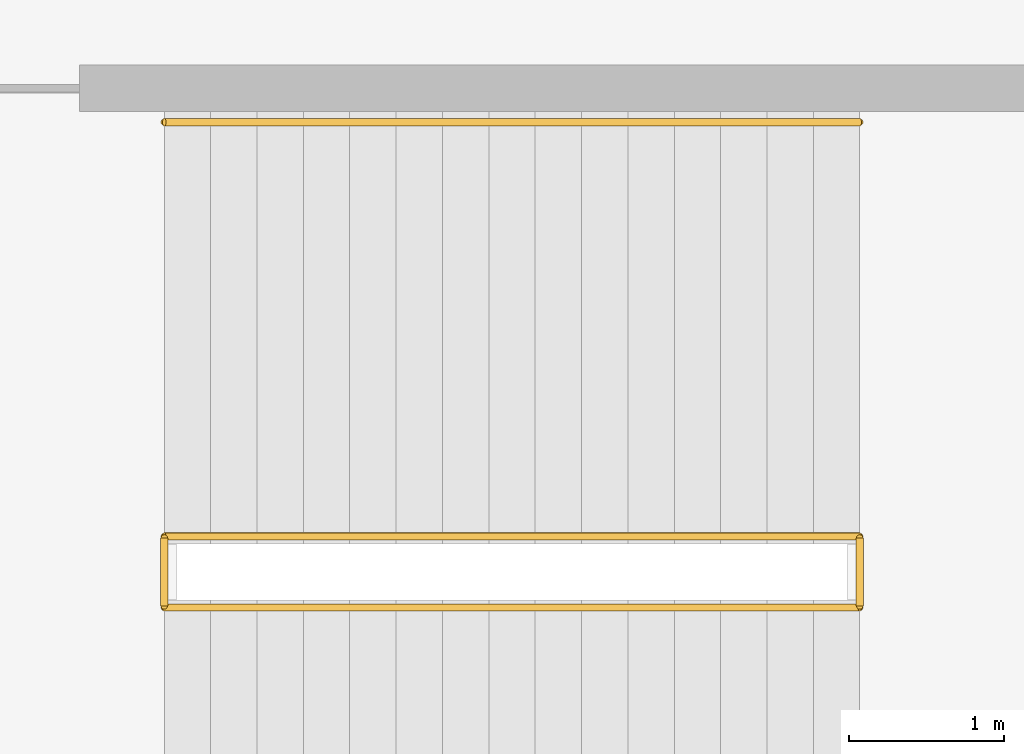
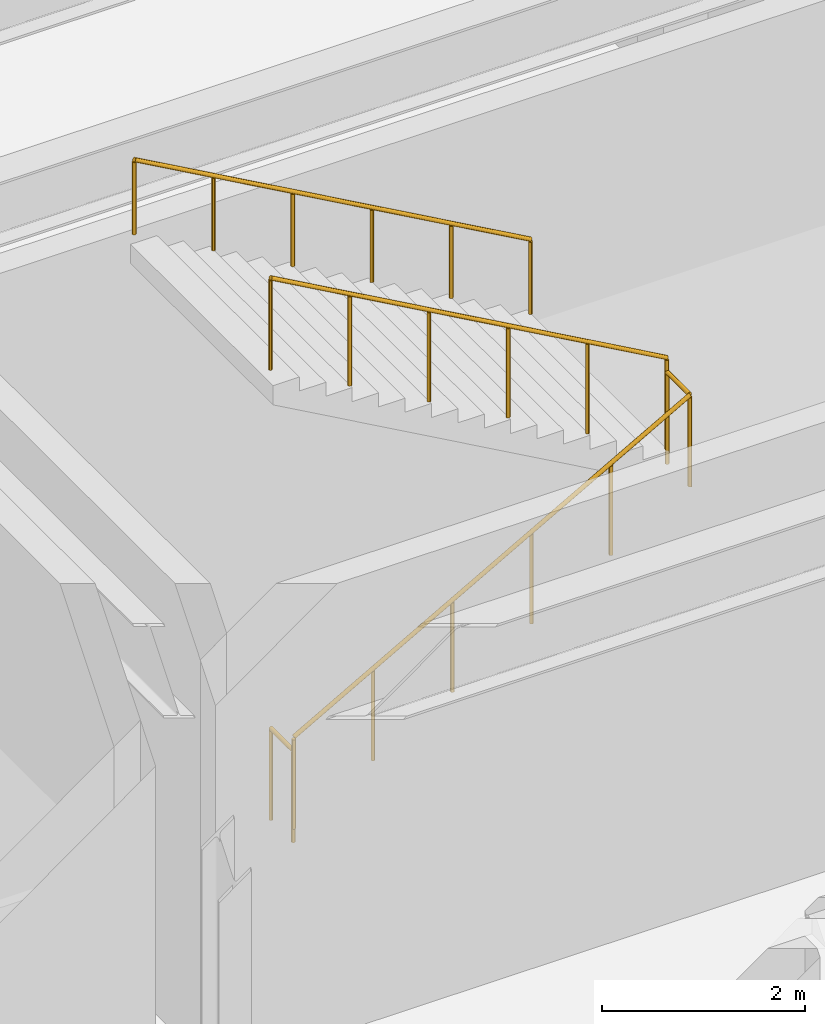
# One storey, part 100 of 100: 5 railings.
"""IFC4 building model written with IfcOpenShell, lengths in metres."""

from ifc_helpers import new_model, si_unit, direction, frame, origin, origin_2d, place, context, subcontext, project, spatial, circle, extrude, material, type_object, element, save


model = new_model("IFC4")

# Units and contexts
model_context = context("Model", 3, precision=1e-05, world=origin(), true_north=direction((0.0, 1.0)))
body_context = subcontext(model_context, "Body", "Model", "MODEL_VIEW")
ifc_project = project(units=[si_unit("LENGTHUNIT", "METRE"), si_unit("AREAUNIT", "SQUARE_METRE"), si_unit("VOLUMEUNIT", "CUBIC_METRE"), si_unit("PLANEANGLEUNIT", "RADIAN"), si_unit("MASSUNIT", "GRAM", prefix="KILO")], contexts=[model_context])

# Site, building, storey
site_placement = place(None, origin())
site = spatial("IfcSite", under=ifc_project, at=site_placement, CompositionType="ELEMENT")
building_placement = place(site_placement, origin())
building = spatial("IfcBuilding", under=site, at=building_placement, Name="Kaldorvane Square Convention Centre", CompositionType="ELEMENT")
storey_placement = place(building_placement, frame((0.0, 0.0, 18.0)))
storey = spatial("IfcBuildingStorey", under=building, at=storey_placement, Name="L03", CompositionType="ELEMENT", Elevation=18.0)

# Railings
ifc_material = material(Name="Architectural Painted Steel", Category="steel")
railing_type_1 = type_object("IfcRailingType", Name="RL-GUARD-1120", PredefinedType="BALUSTRADE", material=ifc_material)
for number, where, name in (
    (1, (128.99000549316406, 75.86000061035156, 0.0), "Convention Exit Stair C18 Floor Well Guard (L03)"),
    (2, (133.49000549316406, 75.86000061035156, 2.6999969482421875), "Convention Exit Stair C18 Half-Landing Guard (L03)"),
):
    element("IfcRailing", number, at=place(storey_placement, frame(where)), inside=storey, type_object=railing_type_1, Name=name, PredefinedType="BALUSTRADE", context=body_context, shape_type="SweptSolid", body=[
        extrude(circle(Radius=0.0240020751953125, at=origin_2d()), frame((0.0, 0.0, 1.0959930419921875), z_axis=(0.0, 1.0, 0.0), x_axis=(-1.0, 0.0, 0.0)), (0.0, 0.0, 1.0), 0.44000244140625),
        extrude(circle(Radius=0.02099609375, at=origin_2d()), origin(), (0.0, 0.0, 1.0), 1.071990966796875),
        extrude(circle(Radius=0.02099609375, at=origin_2d()), frame((0.0, 0.44000244140625, 0.0)), (0.0, 0.0, 1.0), 1.071990966796875),
    ])
railing_1_placement = place(storey_placement, frame((128.99000549316406, 75.85000610351562, 0.1687469482421875)))
element("IfcRailing", 3, at=railing_1_placement, inside=storey, type_object=railing_type_1, Name="Convention Exit Stair C18 Flight 1 Guard (L03)", PredefinedType="BALUSTRADE", context=body_context, shape_type="SweptSolid", body=[
    extrude(circle(Radius=0.0240020751953125, at=origin_2d()), frame((0.0, 0.0, 1.0959930419921875), z_axis=(0.871575537125, 0.0, 0.490261239633), x_axis=(0.0, 1.0, 0.0)), (0.0, 0.0, 1.0), 5.1630706787109375),
    extrude(circle(Radius=0.02099609375, at=origin_2d()), origin(), (0.0, 0.0, 1.0), 1.071990966796875),
    extrude(circle(Radius=0.02099609375, at=origin_2d()), frame((0.899993896484375, 0.0, 0.506256103515625)), (0.0, 0.0, 1.0), 1.071990966796875),
    extrude(circle(Radius=0.02099609375, at=origin_2d()), frame((1.8000030517578125, 0.0, 1.0124969482421875)), (0.0, 0.0, 1.0), 1.071990966796875),
    extrude(circle(Radius=0.02099609375, at=origin_2d()), frame((2.6999969482421875, 0.0, 1.5187530517578125)), (0.0, 0.0, 1.0), 1.071990966796875),
    extrude(circle(Radius=0.02099609375, at=origin_2d()), frame((3.600006103515625, 0.0, 2.024993896484375)), (0.0, 0.0, 1.0), 1.071990966796875),
    extrude(circle(Radius=0.02099609375, at=origin_2d()), frame((4.5, 0.0, 2.53125)), (0.0, 0.0, 1.0), 1.071990966796875),
])
railing_2_placement = place(storey_placement, frame((133.49000549316406, 76.30999755859375, 2.868743896484375)))
element("IfcRailing", 4, at=railing_2_placement, inside=storey, type_object=railing_type_1, Name="Convention Exit Stair C18 Flight 2 Guard (L03)", PredefinedType="BALUSTRADE", context=body_context, shape_type="SweptSolid", body=[
    extrude(circle(Radius=0.0240020751953125, at=origin_2d()), frame((0.0, 0.0, 1.0959930419921875), z_axis=(-0.871575537125, 0.0, 0.490261239633), x_axis=(0.0, -1.0, 0.0)), (0.0, 0.0, 1.0), 5.1630706787109375),
    extrude(circle(Radius=0.02099609375, at=origin_2d()), origin(), (0.0, 0.0, 1.0), 1.071990966796875),
    extrude(circle(Radius=0.02099609375, at=origin_2d()), frame((-0.899993896484375, 0.0, 0.506256103515625)), (0.0, 0.0, 1.0), 1.071990966796875),
    extrude(circle(Radius=0.02099609375, at=origin_2d()), frame((-1.8000030517578125, 0.0, 1.0124969482421875)), (0.0, 0.0, 1.0), 1.071990966796875),
    extrude(circle(Radius=0.02099609375, at=origin_2d()), frame((-2.6999969482421875, 0.0, 1.5187530517578125)), (0.0, 0.0, 1.0), 1.071990966796875),
    extrude(circle(Radius=0.02099609375, at=origin_2d()), frame((-3.600006103515625, 0.0, 2.024993896484375)), (0.0, 0.0, 1.0), 1.071990966796875),
    extrude(circle(Radius=0.02099609375, at=origin_2d()), frame((-4.5, 0.0, 2.53125)), (0.0, 0.0, 1.0), 1.071990966796875),
])
railing_type_2 = type_object("IfcRailingType", Name="RL-HAND-915", PredefinedType="HANDRAIL", material=ifc_material)
railing_3_placement = place(storey_placement, frame((133.49000549316406, 78.99000549316406, 2.868743896484375)))
element("IfcRailing", 5, at=railing_3_placement, inside=storey, type_object=railing_type_2, Name="Convention Exit Stair C18 Wall Handrail 2 (L03)", PredefinedType="HANDRAIL", context=body_context, shape_type="SweptSolid", body=[
    extrude(circle(Radius=0.0240020751953125, at=origin_2d()), frame((0.0, 0.0, 0.8909912109375), z_axis=(-0.871575537125, 0.0, 0.490261239633), x_axis=(0.0, -1.0, 0.0)), (0.0, 0.0, 1.0), 5.1630706787109375),
    extrude(circle(Radius=0.02099609375, at=origin_2d()), origin(), (0.0, 0.0, 1.0), 0.8669891357421875),
    extrude(circle(Radius=0.02099609375, at=origin_2d()), frame((-0.899993896484375, 0.0, 0.506256103515625)), (0.0, 0.0, 1.0), 0.8669891357421875),
    extrude(circle(Radius=0.02099609375, at=origin_2d()), frame((-1.8000030517578125, 0.0, 1.0124969482421875)), (0.0, 0.0, 1.0), 0.8669891357421875),
    extrude(circle(Radius=0.02099609375, at=origin_2d()), frame((-2.6999969482421875, 0.0, 1.5187530517578125)), (0.0, 0.0, 1.0), 0.8669891357421875),
    extrude(circle(Radius=0.02099609375, at=origin_2d()), frame((-3.600006103515625, 0.0, 2.024993896484375)), (0.0, 0.0, 1.0), 0.8669891357421875),
    extrude(circle(Radius=0.02099609375, at=origin_2d()), frame((-4.5, 0.0, 2.53125)), (0.0, 0.0, 1.0), 0.8669891357421875),
])

save(model, "model.ifc")
